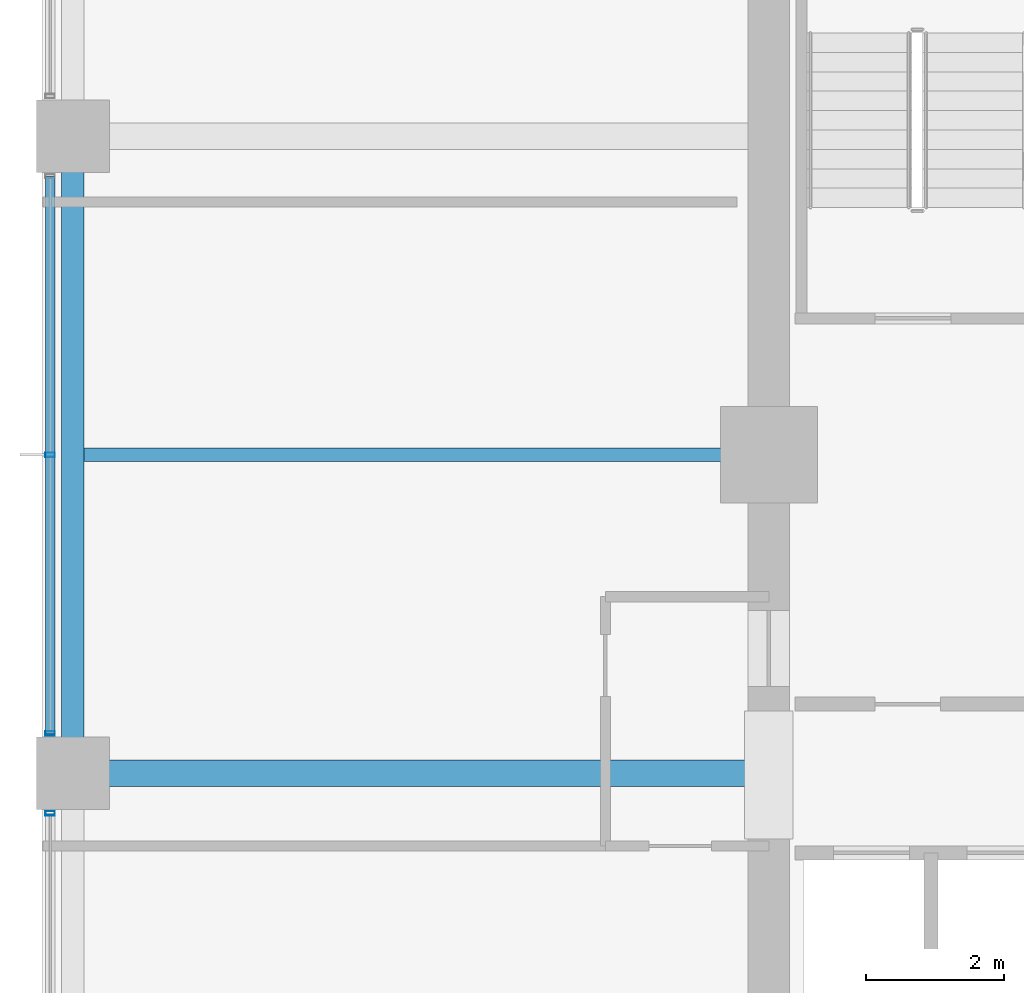
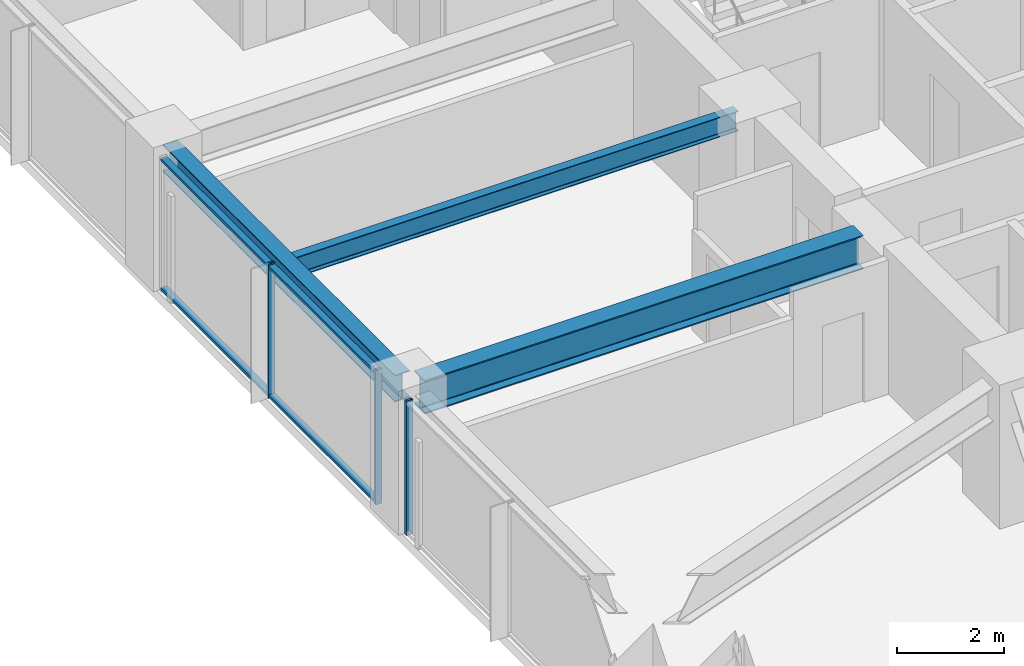
# One storey, part 9 of 38: 5 members, 3 beams, 2 elements without a shape of their own.
"""IFC4 building model written with IfcOpenShell, lengths in metres."""

import ifcopenshell
import ifcopenshell.guid

model = None  # the IFC model being written
_history = None  # IfcOwnerHistory: only IFC2X3 demands one
_inside = {}  # id of a spatial element -> (the spatial element, [elements in it])
_under = {}  # id of a project, library or spatial element -> (it, [spatial elements below it])
_declared = {}  # id of a project -> (the project, [libraries it declares])
_typed = {}  # id of a type object -> (the type object, [elements of that type])
_made_of = {}  # id of a material, layer set ... -> (it, [elements and type objects made of it])


def new_model(schema):
    """Start an empty IFC model of exactly this schema.

    Asked for "IFC4X3", IfcOpenShell would pick the latest addendum, in which some entities
    have other attributes; the version numbers below select the first issue.
    IFC2X3 requires an IfcOwnerHistory on every rooted entity: one is made here for all.
    """
    global model, _history
    if schema == "IFC4X3":
        model = ifcopenshell.file(schema_version=(4, 3, 0, 0))
    else:
        model = ifcopenshell.file(schema=schema)
    _inside.clear()
    _under.clear()
    _declared.clear()
    _typed.clear()
    _made_of.clear()
    _history = None
    if model.schema == "IFC2X3":
        org = make("IfcOrganization", Name="unknown")
        user = make(
            "IfcPersonAndOrganization",
            ThePerson=make("IfcPerson", FamilyName="unknown"),
            TheOrganization=org,
        )
        app = make(
            "IfcApplication",
            ApplicationDeveloper=org,
            Version="unknown",
            ApplicationFullName="unknown",
            ApplicationIdentifier="unknown",
        )
        _history = make(
            "IfcOwnerHistory",
            OwningUser=user,
            OwningApplication=app,
            ChangeAction="ADDED",
            CreationDate=0,
        )
    return model


def make(cls, **values):
    """One entity of the class cls with the attributes given. An attribute that is None is left unset."""
    return model.create_entity(
        cls, **{name: value for name, value in values.items() if value is not None}
    )


def rooted(cls, **values):
    """An entity with a GlobalId (a new one), such as an element, a storey or a relation."""
    return make(cls, GlobalId=ifcopenshell.guid.new(), OwnerHistory=_history, **values)


def si_unit(unit_type, name, prefix=None):
    """IfcSIUnit, for example si_unit("LENGTHUNIT", "METRE", prefix="MILLI")."""
    return make("IfcSIUnit", UnitType=unit_type, Prefix=prefix, Name=name)


def assignment(units):
    """IfcUnitAssignment: the units of a project."""
    return None if units is None else make("IfcUnitAssignment", Units=units)


def point(xyz):
    """IfcCartesianPoint."""
    return None if xyz is None else make("IfcCartesianPoint", Coordinates=xyz)


def direction(xyz):
    """IfcDirection."""
    return None if xyz is None else make("IfcDirection", DirectionRatios=xyz)


def frame(location, z_axis=None, x_axis=None):
    """IfcAxis2Placement3D, a coordinate frame: its origin and axes. An axis left out is left unset."""
    return make(
        "IfcAxis2Placement3D",
        Location=point(location),
        Axis=direction(z_axis),
        RefDirection=direction(x_axis),
    )


def frame_2d(location, x_axis=None):
    """IfcAxis2Placement2D, a coordinate frame in the plane: its origin and x axis."""
    return make(
        "IfcAxis2Placement2D", Location=point(location), RefDirection=direction(x_axis)
    )


def origin():
    """The frame at (0, 0, 0) with its axes left unset."""
    return frame((0.0, 0.0, 0.0))


def origin_2d():
    """The frame at (0, 0) in the plane with its x axis left unset."""
    return frame_2d((0.0, 0.0))


def place(relative_to, where):
    """IfcLocalPlacement: puts the frame where relative to a parent placement (None: the world)."""
    return make(
        "IfcLocalPlacement", PlacementRelTo=relative_to, RelativePlacement=where
    )


def context(
    kind, dimensions, precision=None, world=None, true_north=None, identifier=None
):
    """IfcGeometricRepresentationContext, for example the 3D "Model" context."""
    return make(
        "IfcGeometricRepresentationContext",
        ContextIdentifier=identifier,
        ContextType=kind,
        CoordinateSpaceDimension=dimensions,
        Precision=precision,
        WorldCoordinateSystem=world,
        TrueNorth=true_north,
    )


def subcontext(parent, identifier, kind, view, scale=None):
    """IfcGeometricRepresentationSubContext, for example "Body" below "Model"."""
    return make(
        "IfcGeometricRepresentationSubContext",
        ContextIdentifier=identifier,
        ContextType=kind,
        ParentContext=parent,
        TargetScale=scale,
        TargetView=view,
    )


def project(units=None, contexts=None):
    """IfcProject with its units and contexts."""
    return rooted(
        "IfcProject",
        Name="project",
        RepresentationContexts=contexts,
        UnitsInContext=assignment(units),
    )


def spatial(cls, under=None, at=None, **own):
    """A site, building, storey or space (cls), placed at a placement, below another one or the project."""
    s = rooted(cls, ObjectPlacement=at, **own)
    if under is not None:
        _under.setdefault(under.id(), (under, []))[1].append(s)
    return s


def profile(cls, at=None, kind="AREA", **sizes):
    """A parametric profile (cls). Its sizes go by their IFC names, for example OverallWidth=200.0."""
    return make(cls, ProfileType=kind, Position=at, **sizes)


def hollow_rectangle(**sizes):
    """IfcRectangleHollowProfileDef."""
    return profile("IfcRectangleHollowProfileDef", **sizes)


def i_section(**sizes):
    """IfcIShapeProfileDef."""
    return profile("IfcIShapeProfileDef", **sizes)


def extrude(swept, where, along, depth):
    """IfcExtrudedAreaSolid: the profile swept, set in the frame where, extruded along a direction by depth."""
    return make(
        "IfcExtrudedAreaSolid",
        SweptArea=swept,
        Position=where,
        ExtrudedDirection=direction(along),
        Depth=depth,
    )


def shape(context_of_items, identifier, shape_type, items):
    """IfcShapeRepresentation: the items that make up one representation, for example the "Body"."""
    return make(
        "IfcShapeRepresentation",
        ContextOfItems=context_of_items,
        RepresentationIdentifier=identifier,
        RepresentationType=shape_type,
        Items=items,
    )


def material(Name=None, Category=None):
    """IfcMaterial."""
    return make("IfcMaterial", Name=Name, Category=Category)


def material_profile(
    of_material, cross_section, Name=None, Category=None, Priority=None
):
    """IfcMaterialProfile: a cross section and its material."""
    return make(
        "IfcMaterialProfile",
        Name=Name,
        Material=of_material,
        Profile=cross_section,
        Priority=Priority,
        Category=Category,
    )


def profile_set(profiles, Name=None, composite=None):
    """IfcMaterialProfileSet."""
    return make(
        "IfcMaterialProfileSet",
        Name=Name,
        MaterialProfiles=profiles,
        CompositeProfile=composite,
    )


def made_of(thing, what):
    """Note that an element or type object is made of a material, layer set ...; save() writes the relation."""
    if what is not None:
        _made_of.setdefault(what.id(), (what, []))[1].append(thing)
    return thing


def type_object(cls, material=None, **own):
    """A type object (cls), such as IfcWallType, which elements share."""
    return made_of(rooted(cls, **own), material)


def element(
    cls,
    number,
    at=None,
    inside=None,
    cuts=None,
    type_object=None,
    material=None,
    context=None,
    identifier="Body",
    shape_type=None,
    held_by="IfcProductDefinitionShape",
    body=None,
    shapes=None,
    **own,
):
    """One element of the class cls, such as IfcWall. Its Tag is "e" and its number.

    at: its placement. inside: the storey or other place that contains it. cuts: it is an
    opening in that element (IfcRelVoidsElement). A single representation is given by context,
    identifier, shape_type and body (its items); several are given by shapes. held_by: the class
    of the entity that holds the representations. save() writes the other relations.
    """
    e = rooted(cls, Tag="e%d" % number, ObjectPlacement=at, **own)
    if body is not None:
        shapes = [shape(context, identifier, shape_type, body)]
    if shapes is not None:
        e.Representation = make(held_by, Representations=shapes)
    if inside is not None:
        _inside.setdefault(inside.id(), (inside, []))[1].append(e)
    if cuts is not None:
        rooted(
            "IfcRelVoidsElement", RelatingBuildingElement=cuts, RelatedOpeningElement=e
        )
    if type_object is not None:
        _typed.setdefault(type_object.id(), (type_object, []))[1].append(e)
    return made_of(e, material)


def aggregate(whole, parts):
    """IfcRelAggregates: a whole, such as a stair, and the parts it consists of."""
    return rooted("IfcRelAggregates", RelatingObject=whole, RelatedObjects=parts)


def save(model, path):
    """Write the relations noted so far, then the file.

    IfcRelAggregates (storeys below a building ...), IfcRelContainedInSpatialStructure (elements
    in a storey), IfcRelDefinesByType, IfcRelAssociatesMaterial and IfcRelDeclares: one each for
    every whole, place, type object, material and project.
    """
    for whole, parts in _under.values():
        aggregate(whole, parts)
    for where, things in _inside.values():
        rooted(
            "IfcRelContainedInSpatialStructure",
            RelatedElements=things,
            RelatingStructure=where,
        )
    for kind, things in _typed.values():
        rooted("IfcRelDefinesByType", RelatedObjects=things, RelatingType=kind)
    for what, things in _made_of.values():
        rooted("IfcRelAssociatesMaterial", RelatedObjects=things, RelatingMaterial=what)
    for by, libraries in _declared.values():
        rooted("IfcRelDeclares", RelatingContext=by, RelatedDefinitions=libraries)
    model.write(path)


model = new_model("IFC4")

# Units and contexts
model_context = context("Model", 3, precision=1e-05, world=origin(), true_north=direction((0.0, 1.0)))
body_context = subcontext(model_context, "Body", "Model", "MODEL_VIEW")
ifc_project = project(units=[si_unit("LENGTHUNIT", "METRE"), si_unit("AREAUNIT", "SQUARE_METRE"), si_unit("VOLUMEUNIT", "CUBIC_METRE"), si_unit("PLANEANGLEUNIT", "RADIAN"), si_unit("MASSUNIT", "GRAM", prefix="KILO")], contexts=[model_context])

# Site, building, storey
site_placement = place(None, origin())
site = spatial("IfcSite", under=ifc_project, at=site_placement, CompositionType="ELEMENT")
building_placement = place(site_placement, origin())
building = spatial("IfcBuilding", under=site, at=building_placement, Name="Kolvaren Belvedere", CompositionType="ELEMENT")
storey_placement = place(building_placement, frame((0.0, 0.0, 98.60009765625)))
storey = spatial("IfcBuildingStorey", under=building, at=storey_placement, Name="L28", CompositionType="ELEMENT", Elevation=98.60009765625)

# Beams
ifc_material_1 = material(Name="Structural steel ASTM A992 Grade 50", Category="steel")
ifc_material_profile_1 = material_profile(ifc_material_1, i_section(OverallWidth=0.381103515625, OverallDepth=0.77294921875, WebThickness=0.0166015625, FlangeThickness=0.027099609375, FilletRadius=0.02392578125, at=origin_2d()), Name="W30X173")
ifc_profile_set_1 = profile_set([ifc_material_profile_1], Name="Structural steel ASTM A992 Grade 50")
beam_type_1 = type_object("IfcBeamType", Name="BM-GIRD-W30X173", PredefinedType="BEAM", material=ifc_profile_set_1)
beam_1_placement = place(storey_placement, frame((-10.199951171875, -4.60009765625, 2.693359375), z_axis=(-1.0, 0.0, 0.0), x_axis=(0.0, -1.0, 0.0)))
element("IfcBeam", 1, at=beam_1_placement, inside=storey, type_object=beam_type_1, Name="L28 West Radial Girder M", PredefinedType="BEAM", context=body_context, shape_type="SweptSolid", body=[
    extrude(i_section(OverallWidth=0.381103515625, OverallDepth=0.77294921875, WebThickness=0.0166015625, FlangeThickness=0.027099609375, FilletRadius=0.02392578125, at=origin_2d()), origin(), (0.0, 0.0, 1.0), 9.513916015625),
])
ifc_material_2 = material(Name="Structural steel ASTM A992 Grade 50", Category="steel")
ifc_material_profile_2 = material_profile(ifc_material_2, i_section(OverallWidth=0.19091796875, OverallDepth=0.4599609375, WebThickness=0.010009765625, FlangeThickness=0.01611328125, FilletRadius=0.014892578125, at=origin_2d()), Name="W18X55")
ifc_profile_set_2 = profile_set([ifc_material_profile_2], Name="Structural steel ASTM A992 Grade 50")
beam_type_2 = type_object("IfcBeamType", Name="BM-JOIST-W18X55", PredefinedType="BEAM", material=ifc_profile_set_2)
beam_2_placement = place(storey_placement, frame((-10.199951171875, 0.0, 2.849853515625), z_axis=(-1.0, 0.0, 0.0), x_axis=(0.0, -1.0, 0.0)))
element("IfcBeam", 2, at=beam_2_placement, inside=storey, type_object=beam_type_2, Name="L28 West Centre Floor Beam", PredefinedType="BEAM", context=body_context, shape_type="SweptSolid", body=[
    extrude(i_section(OverallWidth=0.19091796875, OverallDepth=0.4599609375, WebThickness=0.010009765625, FlangeThickness=0.01611328125, FilletRadius=0.014892578125, at=origin_2d()), origin(), (0.0, 0.0, 1.0), 9.587646484375),
])
ifc_material_3 = material(Name="Structural steel ASTM A992 Grade 50", Category="steel")
ifc_material_profile_3 = material_profile(ifc_material_3, i_section(OverallWidth=0.324951171875, OverallDepth=0.615966796875, WebThickness=0.013916015625, FlangeThickness=0.021484375, FilletRadius=0.02001953125, at=origin_2d()), Name="W24X117")
ifc_profile_set_3 = profile_set([ifc_material_profile_3], Name="Structural steel ASTM A992 Grade 50")
beam_type_3 = type_object("IfcBeamType", Name="BM-SPAN-W24X117", PredefinedType="SPANDREL", material=ifc_profile_set_3)
beam_3_placement = place(storey_placement, frame((-19.949951171875, 4.36376953125, 2.77197265625), z_axis=(0.0, -1.0, 0.0), x_axis=(1.0, 0.0, 0.0)))
element("IfcBeam", 3, at=beam_3_placement, inside=storey, type_object=beam_type_3, Name="L28 Perimeter Spandrel W3-W2", PredefinedType="SPANDREL", context=body_context, shape_type="SweptSolid", body=[
    extrude(i_section(OverallWidth=0.324951171875, OverallDepth=0.615966796875, WebThickness=0.013916015625, FlangeThickness=0.021484375, FilletRadius=0.02001953125, at=origin_2d()), origin(), (0.0, 0.0, 1.0), 8.7275390625),
])

# Curtain wall, member
ifc_material_4 = material(Name="Anodised pale-metal aluminium AA 6063-T6", Category="aluminium")
curtain_wall_type = type_object("IfcCurtainWallType", Name="CW-Z2-MID", PredefinedType="NOTDEFINED", material=ifc_material_4)
curtain_wall_1_placement = place(storey_placement, origin())
curtain_wall_1 = element("IfcCurtainWall", 4, at=curtain_wall_1_placement, inside=storey, type_object=curtain_wall_type, Name="L28 Unitised Curtain Wall FCW-L28-W-B1", PredefinedType="NOTDEFINED")
ifc_material_5 = material(Name="Anodised pale-metal aluminium AA 6063-T6", Category="aluminium")
ifc_material_profile_4 = material_profile(ifc_material_5, hollow_rectangle(XDim=0.06494140625, YDim=0.139892578125, WallThickness=0.00390625, at=origin_2d()), Name="ALU-MUL-140X65")
ifc_profile_set_4 = profile_set([ifc_material_profile_4], Name="Anodised pale-metal aluminium AA 6063-T6")
member_type_1 = type_object("IfcMemberType", Name="CW-MUL-140", PredefinedType="MULLION", material=ifc_profile_set_4)
member_1_placement = place(storey_placement, frame((-20.280029296875, -5.177490234375, 0.0), z_axis=(0.0, 0.0, 1.0), x_axis=(0.0, 1.0, 0.0)))
member_1 = element("IfcMember", 5, at=member_1_placement, type_object=member_type_1, Name="FCW-L28-W-B1 Unitised Mullion 3", PredefinedType="MULLION", context=body_context, shape_type="SweptSolid", body=[
    extrude(hollow_rectangle(XDim=0.06494140625, YDim=0.139892578125, WallThickness=0.00390625, at=origin_2d()), origin(), (0.0, 0.0, 1.0), 3.079833984375),
])
aggregate(curtain_wall_1, [member_1])

# Curtain wall, members
curtain_wall_2_placement = place(storey_placement, origin())
curtain_wall_2 = element("IfcCurtainWall", 6, at=curtain_wall_2_placement, inside=storey, type_object=curtain_wall_type, Name="L28 Unitised Curtain Wall FCW-L28-W-B2", PredefinedType="NOTDEFINED")
member_2_placement = place(storey_placement, frame((-20.280029296875, -4.0224609375, 0.0), z_axis=(0.0, 0.0, 1.0), x_axis=(0.0, 1.0, 0.0)))
member_2 = element("IfcMember", 7, at=member_2_placement, type_object=member_type_1, Name="FCW-L28-W-B2 Unitised Mullion 1", PredefinedType="MULLION", context=body_context, shape_type="SweptSolid", body=[
    extrude(hollow_rectangle(XDim=0.06494140625, YDim=0.139892578125, WallThickness=0.00390625, at=origin_2d()), origin(), (0.0, 0.0, 1.0), 3.079833984375),
])
member_3_placement = place(storey_placement, frame((-20.280029296875, 0.0, 0.0), z_axis=(0.0, 0.0, 1.0), x_axis=(0.0, 1.0, 0.0)))
member_3 = element("IfcMember", 8, at=member_3_placement, type_object=member_type_1, Name="FCW-L28-W-B2 Unitised Mullion 2", PredefinedType="MULLION", context=body_context, shape_type="SweptSolid", body=[
    extrude(hollow_rectangle(XDim=0.06494140625, YDim=0.139892578125, WallThickness=0.00390625, at=origin_2d()), origin(), (0.0, 0.0, 1.0), 3.079833984375),
])
ifc_material_6 = material(Name="Anodised pale-metal aluminium AA 6063-T6", Category="aluminium")
ifc_material_profile_5 = material_profile(ifc_material_6, hollow_rectangle(XDim=0.06005859375, YDim=0.139892578125, WallThickness=0.00390625, at=origin_2d()), Name="ALU-TRN-140X60")
ifc_profile_set_5 = profile_set([ifc_material_profile_5], Name="Anodised pale-metal aluminium AA 6063-T6")
member_type_2 = type_object("IfcMemberType", Name="CW-TRN-140", PredefinedType="USERDEFINED", material=ifc_profile_set_5)
member_4_placement = place(storey_placement, frame((-20.280029296875, -4.0224609375, 0.059814453125), z_axis=(0.0, 1.0, 0.0), x_axis=(0.0, 0.0, 1.0)))
member_4 = element("IfcMember", 9, at=member_4_placement, type_object=member_type_2, Name="FCW-L28-W-B2 Sill Transom", ObjectType="TRANSOM", PredefinedType="USERDEFINED", context=body_context, shape_type="SweptSolid", body=[
    extrude(hollow_rectangle(XDim=0.06005859375, YDim=0.139892578125, WallThickness=0.00390625, at=origin_2d()), origin(), (0.0, 0.0, 1.0), 8.044921875),
])
member_5_placement = place(storey_placement, frame((-20.280029296875, -4.0224609375, 3.02001953125), z_axis=(0.0, 1.0, 0.0), x_axis=(0.0, 0.0, 1.0)))
member_5 = element("IfcMember", 10, at=member_5_placement, type_object=member_type_2, Name="FCW-L28-W-B2 Head Transom", ObjectType="TRANSOM", PredefinedType="USERDEFINED", context=body_context, shape_type="SweptSolid", body=[
    extrude(hollow_rectangle(XDim=0.06005859375, YDim=0.139892578125, WallThickness=0.00390625, at=origin_2d()), origin(), (0.0, 0.0, 1.0), 8.044921875),
])
aggregate(curtain_wall_2, [member_2, member_3, member_4, member_5])

save(model, "model.ifc")
